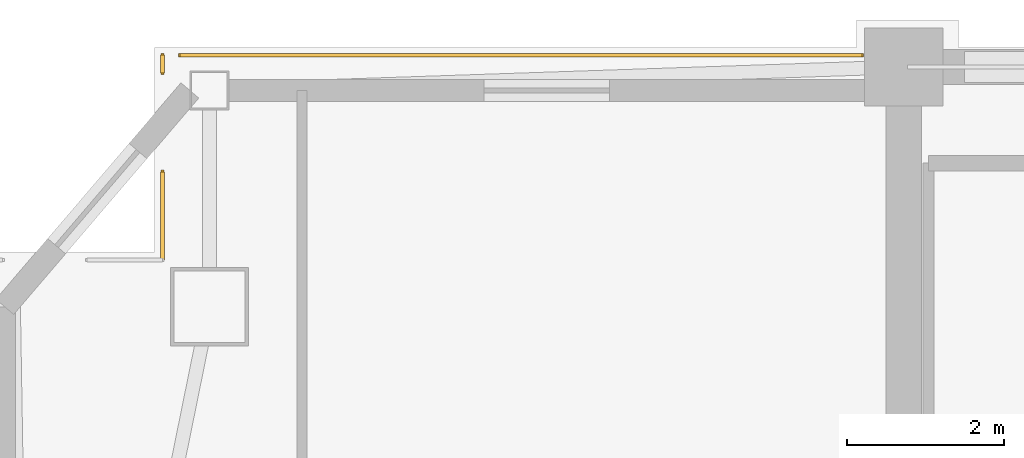
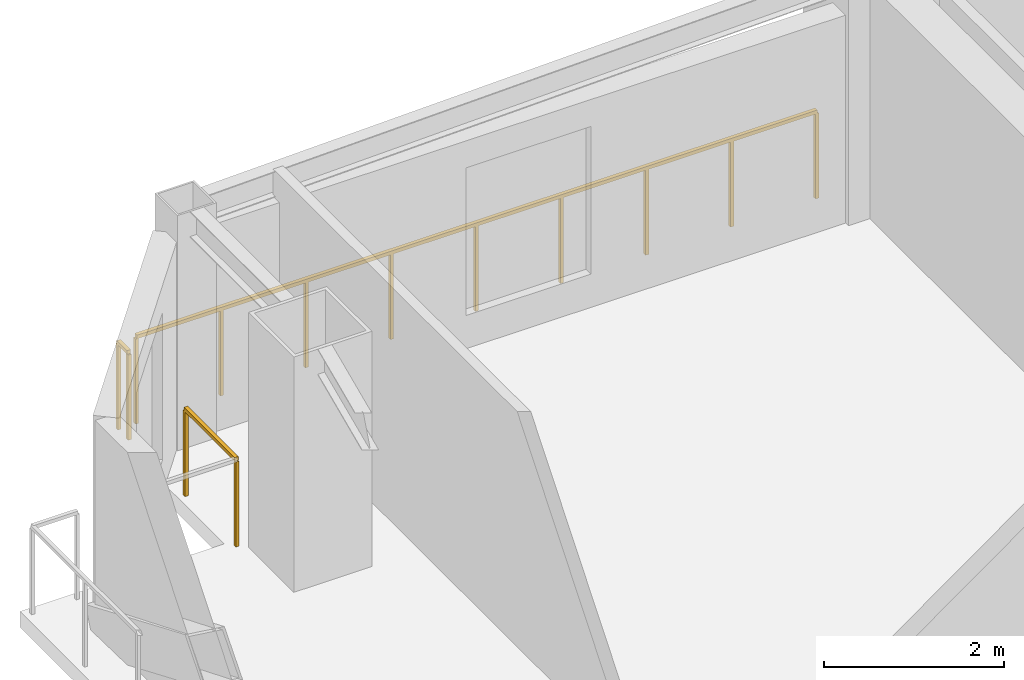
# One storey, part 16 of 17: 3 railings.
"""IFC4 building model written with IfcOpenShell, lengths in metres."""

from ifc_helpers import new_model, si_unit, direction, frame, origin, origin_2d, place, context, subcontext, project, spatial, rectangle, extrude, material, type_object, element, save


model = new_model("IFC4")

# Units and contexts
model_context = context("Model", 3, precision=1e-05, world=origin(), true_north=direction((0.0, 1.0)))
body_context = subcontext(model_context, "Body", "Model", "MODEL_VIEW")
ifc_project = project(units=[si_unit("LENGTHUNIT", "METRE"), si_unit("AREAUNIT", "SQUARE_METRE"), si_unit("VOLUMEUNIT", "CUBIC_METRE"), si_unit("PLANEANGLEUNIT", "RADIAN"), si_unit("MASSUNIT", "GRAM", prefix="KILO")], contexts=[model_context])

# Site, building, storey
site_placement = place(None, origin())
site = spatial("IfcSite", under=ifc_project, at=site_placement, CompositionType="ELEMENT")
building_placement = place(site_placement, origin())
building = spatial("IfcBuilding", under=site, at=building_placement, Name="Giltprow Tower", CompositionType="ELEMENT")
storey_placement = place(building_placement, frame((0.0, 0.0, 248.5)))
storey = spatial("IfcBuildingStorey", under=building, at=storey_placement, Name="L63", CompositionType="ELEMENT", Elevation=248.5)

# Railings
ifc_material = material(Name="Anodized bronze", Category="metal")
railing_type = type_object("IfcRailingType", Name="RAIL-BALC-GUARD-1200", PredefinedType="BALUSTRADE", material=ifc_material)
railing_1_placement = place(storey_placement, frame((10.37890625, 44.083984375, 0.0)))
element("IfcRailing", 1, at=railing_1_placement, inside=storey, type_object=railing_type, Name="L63 Corner Apron Edge Balustrade 16", PredefinedType="BALUSTRADE", context=body_context, shape_type="SweptSolid", body=[
    extrude(rectangle(XDim=0.048095703125, YDim=0.048095703125, at=origin_2d()), frame((0.0, 0.0, 1.17578125), z_axis=(0.0, 1.0, 0.0), x_axis=(-1.0, 0.0, 0.0)), (0.0, 0.0, 1.0), 1.1259765625),
    extrude(rectangle(XDim=0.0419921875, YDim=0.0419921875, at=origin_2d()), origin(), (0.0, 0.0, 1.0), 1.15185546875),
    extrude(rectangle(XDim=0.0419921875, YDim=0.0419921875, at=origin_2d()), frame((0.0, 1.1259765625, 0.0)), (0.0, 0.0, 1.0), 1.15185546875),
])
railing_2_placement = place(storey_placement, frame((10.37890625, 46.471923828125, 0.0)))
element("IfcRailing", 2, at=railing_2_placement, inside=storey, type_object=railing_type, Name="L63 Corner Apron Edge Balustrade 17", PredefinedType="BALUSTRADE", context=body_context, shape_type="SweptSolid", body=[
    extrude(rectangle(XDim=0.048095703125, YDim=0.048095703125, at=origin_2d()), frame((0.0, 0.0, 1.17578125), z_axis=(0.0, 1.0, 0.0), x_axis=(-1.0, 0.0, 0.0)), (0.0, 0.0, 1.0), 0.22802734375),
    extrude(rectangle(XDim=0.0419921875, YDim=0.0419921875, at=origin_2d()), origin(), (0.0, 0.0, 1.0), 1.15185546875),
    extrude(rectangle(XDim=0.0419921875, YDim=0.0419921875, at=origin_2d()), frame((0.0, 0.22802734375, 0.0)), (0.0, 0.0, 1.0), 1.15185546875),
])
railing_3_placement = place(storey_placement, frame((10.60302734375, 46.699951171875, 0.0)))
element("IfcRailing", 3, at=railing_3_placement, inside=storey, type_object=railing_type, Name="L63 Corner Apron Edge Balustrade 18", PredefinedType="BALUSTRADE", context=body_context, shape_type="SweptSolid", body=[
    extrude(rectangle(XDim=0.048095703125, YDim=0.048095703125, at=origin_2d()), frame((0.0, 0.0, 1.17578125), z_axis=(1.0, 0.0, 0.0), x_axis=(0.0, 1.0, 0.0)), (0.0, 0.0, 1.0), 8.7119140625),
    extrude(rectangle(XDim=0.0419921875, YDim=0.0419921875, at=origin_2d()), origin(), (0.0, 0.0, 1.0), 1.15185546875),
    extrude(rectangle(XDim=0.0419921875, YDim=0.0419921875, at=origin_2d()), frame((1.0888671875, 0.0, 0.0)), (0.0, 0.0, 1.0), 1.15185546875),
    extrude(rectangle(XDim=0.0419921875, YDim=0.0419921875, at=origin_2d()), frame((2.177978515625, 0.0, 0.0)), (0.0, 0.0, 1.0), 1.15185546875),
    extrude(rectangle(XDim=0.0419921875, YDim=0.0419921875, at=origin_2d()), frame((3.26708984375, 0.0, 0.0)), (0.0, 0.0, 1.0), 1.15185546875),
    extrude(rectangle(XDim=0.0419921875, YDim=0.0419921875, at=origin_2d()), frame((4.35595703125, 0.0, 0.0)), (0.0, 0.0, 1.0), 1.15185546875),
    extrude(rectangle(XDim=0.0419921875, YDim=0.0419921875, at=origin_2d()), frame((5.44482421875, 0.0, 0.0)), (0.0, 0.0, 1.0), 1.15185546875),
    extrude(rectangle(XDim=0.0419921875, YDim=0.0419921875, at=origin_2d()), frame((6.533935546875, 0.0, 0.0)), (0.0, 0.0, 1.0), 1.15185546875),
    extrude(rectangle(XDim=0.0419921875, YDim=0.0419921875, at=origin_2d()), frame((7.623046875, 0.0, 0.0)), (0.0, 0.0, 1.0), 1.15185546875),
    extrude(rectangle(XDim=0.0419921875, YDim=0.0419921875, at=origin_2d()), frame((8.7119140625, 0.0, 0.0)), (0.0, 0.0, 1.0), 1.15185546875),
])

save(model, "model.ifc")
